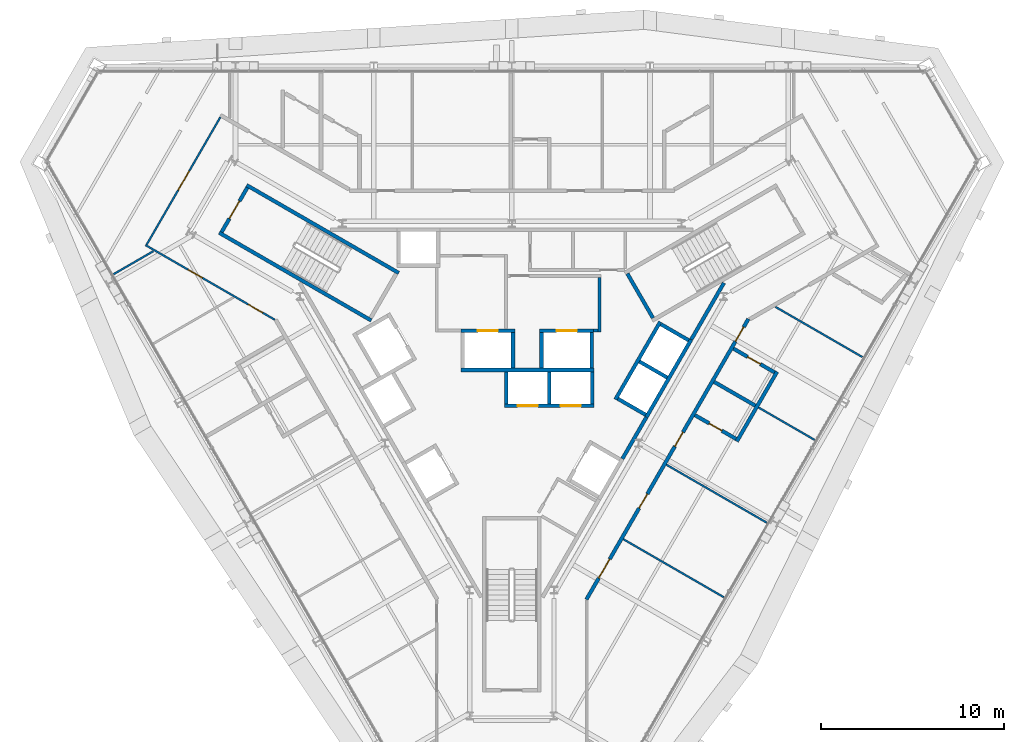
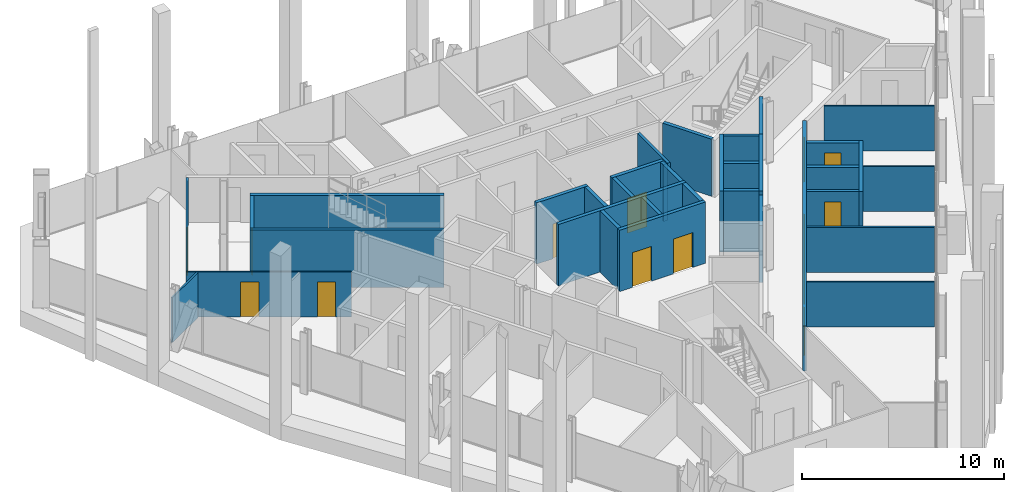
# One storey, part 10 of 14: 35 walls, 14 doors, 14 openings.
"""IFC4 building model written with IfcOpenShell, lengths in metres."""

from ifc_helpers import new_model, si_unit, direction, frame, frame_2d, origin, place, context, subcontext, project, spatial, rectangle, extrude, material, layer, layer_set, type_object, element, fill, save


model = new_model("IFC4")

# Units and contexts
model_context = context("Model", 3, precision=1e-05, world=origin(), true_north=direction((0.0, 1.0)))
body_context = subcontext(model_context, "Body", "Model", "MODEL_VIEW")
ifc_project = project(units=[si_unit("LENGTHUNIT", "METRE"), si_unit("AREAUNIT", "SQUARE_METRE"), si_unit("VOLUMEUNIT", "CUBIC_METRE"), si_unit("PLANEANGLEUNIT", "RADIAN"), si_unit("MASSUNIT", "GRAM", prefix="KILO")], contexts=[model_context])

# Site, building, storey
site_placement = place(None, origin())
site = spatial("IfcSite", under=ifc_project, at=site_placement, CompositionType="ELEMENT")
building_placement = place(site_placement, origin())
building = spatial("IfcBuilding", under=site, at=building_placement, Name="Verrane Prism Tower", CompositionType="ELEMENT")
storey_placement = place(building_placement, frame((0.0, 0.0, 148.800048828125)))
storey = spatial("IfcBuildingStorey", under=building, at=storey_placement, Name="L36", CompositionType="ELEMENT", Elevation=148.800048828125)

# Walls
ifc_material_1 = material(Name="Gypsum board partition", Category="other")
ifc_layer_1 = layer(ifc_material_1, 0.199951171875)
ifc_layer_set_1 = layer_set([ifc_layer_1], Name="CW-200 core boundary wall 2 h")
wall_type_1 = type_object("IfcWallType", Name="CW-200 core boundary wall 2 h", PredefinedType="PARTITIONING", material=ifc_layer_set_1)
wall_1_placement = place(storey_placement, frame((6.0419921875, -4.85498046875, 0.0), z_axis=(0.0, 0.0, 1.0), x_axis=(0.500252727967, 0.865879442048, 0.0)))
element("IfcWall", 1, at=wall_1_placement, inside=storey, type_object=wall_type_1, Name="Core boundary wall CW3-007", PredefinedType="PARTITIONING", context=body_context, shape_type="SweptSolid", body=[
    extrude(rectangle(XDim=2.616943359375, YDim=0.199951171875, at=frame_2d((1.30859375, 0.0))), origin(), (0.0, 0.0, 1.0), 3.449951171875),
])
wall_2_placement = place(storey_placement, frame((9.802978515625, 1.657958984375, 0.0), z_axis=(0.0, 0.0, 1.0), x_axis=(0.499943114462, 0.866058244174, 0.0)))
element("IfcWall", 2, at=wall_2_placement, inside=storey, type_object=wall_type_1, Name="Core boundary wall CW3-008", PredefinedType="PARTITIONING", context=body_context, shape_type="SweptSolid", body=[
    extrude(rectangle(XDim=3.57568359375, YDim=0.199951171875, at=frame_2d((1.787841796875, 0.0))), origin(), (0.0, 0.0, 1.0), 3.449951171875),
])
ifc_material_2 = material(Name="Concrete C40/50", Category="concrete")
ifc_layer_2 = layer(ifc_material_2, 0.199951171875)
ifc_layer_set_2 = layer_set([ifc_layer_2], Name="CW-200 stair core wall concrete C40/50 3 h")
wall_type_2 = type_object("IfcWallType", Name="CW-200 stair core wall concrete C40/50 3 h", PredefinedType="PARTITIONING", material=ifc_layer_set_2)
wall_3_placement = place(storey_placement, frame((7.71484375, 2.837646484375, 0.0), z_axis=(0.0, 0.0, 1.0), x_axis=(-0.500049511043, 0.865996816683, 0.0)))
element("IfcWall", 3, at=wall_3_placement, inside=storey, type_object=wall_type_2, Name="Stair 1 enclosure wall", PredefinedType="PARTITIONING", context=body_context, shape_type="SweptSolid", body=[
    extrude(rectangle(XDim=2.800048828125, YDim=0.199951171875, at=frame_2d((1.39990234375, 0.0))), origin(), (0.0, 0.0, 1.0), 3.449951171875),
])

# Wall, opening, door
wall_4_placement = place(storey_placement, frame((-14.455322265625, 9.96240234375, 0.0), z_axis=(0.0, 0.0, 1.0), x_axis=(-0.500049511043, -0.865996816683, 0.0)))
wall_4 = element("IfcWall", 4, at=wall_4_placement, inside=storey, type_object=wall_type_2, Name="Stair 2 enclosure wall", PredefinedType="PARTITIONING", context=body_context, shape_type="SweptSolid", body=[
    extrude(rectangle(XDim=2.800048828125, YDim=0.199951171875, at=frame_2d((1.39990234375, 0.0))), origin(), (0.0, 0.0, 1.0), 3.449951171875),
])
opening_1_placement = place(wall_4_placement, frame((0.849853515625, 0.0, 0.0)))
opening_1 = element("IfcOpeningElement", 5, at=opening_1_placement, cuts=wall_4, Name="Opening D36501", PredefinedType="OPENING", context=body_context, shape_type="SweptSolid", body=[
    extrude(rectangle(XDim=1.10009765625, YDim=2.10009765625, at=frame_2d((0.550048828125, 1.050048828125))), frame((0.0, 0.10986328125, 0.0), z_axis=(0.0, -1.0, 0.0), x_axis=(1.0, 0.0, 0.0)), (0.0, 0.0, 1.0), 0.219970703125),
])
ifc_material_3 = material(Name="Timber veneered door leaf", Category="wood")
door_type_1 = type_object("IfcDoorType", Name="DR-1100x2100 FD90 single leaf stair", OperationType="NOTDEFINED", PredefinedType="DOOR", material=ifc_material_3)
door_1_placement = place(opening_1_placement, origin())
door_1 = element("IfcDoor", 6, at=door_1_placement, inside=storey, type_object=door_type_1, Name="Stair 2 door", OperationType="SINGLE_SWING_RIGHT", OverallHeight=2.10009765625, OverallWidth=1.10009765625, PredefinedType="DOOR", context=body_context, shape_type="SweptSolid", body=[
    extrude(rectangle(XDim=1.10009765625, YDim=2.10009765625, at=frame_2d((0.550048828125, 1.050048828125))), frame((0.0, 0.02490234375, 0.0), z_axis=(0.0, -1.0, 0.0), x_axis=(1.0, 0.0, 0.0)), (0.0, 0.0, 1.0), 0.050048828125),
])
fill(opening_1, door_1)

# Walls
for number, where, z_axis, x_axis, name in (
    (7, (-7.67822265625, 2.700927734375, 0.0), (0.0, 0.0, 1.0), (-0.866019993635, 0.500009370536, 0.0), "Stair 2 enclosure wall"),
    (8, (-6.17822265625, 5.299072265625, 0.0), (0.0, 0.0, 1.0), (-0.866019993635, 0.500009370536, 0.0), "Stair 2 enclosure wall"),
):
    element("IfcWall", number, at=place(storey_placement, frame(where, z_axis=z_axis, x_axis=x_axis)), inside=storey, type_object=wall_type_2, Name=name, PredefinedType="PARTITIONING", context=body_context, shape_type="SweptSolid", body=[
        extrude(rectangle(XDim=9.599853515625, YDim=0.199951171875, at=frame_2d((4.7998046875, 0.0))), origin(), (0.0, 0.0, 1.0), 3.449951171875),
    ])

# Wall, openings, doors
ifc_material_4 = material(Name="Gypsum board shaft wall assembly", Category="other")
ifc_layer_3 = layer(ifc_material_4, 0.199951171875)
ifc_layer_set_3 = layer_set([ifc_layer_3], Name="HW-200 lift shaft wall 2 h")
wall_type_3 = type_object("IfcWallType", Name="HW-200 lift shaft wall 2 h", PredefinedType="PARTITIONING", material=ifc_layer_set_3)
wall_5_placement = place(storey_placement, frame((-0.405029296875, -1.949951171875, 0.0), z_axis=(0.0, 0.0, 1.0), x_axis=(1.0, 0.0, 0.0)))
wall_5 = element("IfcWall", 9, at=wall_5_placement, inside=storey, type_object=wall_type_3, Name="Lift shaft wall", PredefinedType="PARTITIONING", context=body_context, shape_type="SweptSolid", body=[
    extrude(rectangle(XDim=4.900146484375, YDim=0.199951171875, at=frame_2d((2.4501953125, 0.0))), origin(), (0.0, 0.0, 1.0), 3.699951171875),
])
opening_2_placement = place(wall_5_placement, frame((0.72509765625, 0.0, 0.0)))
opening_2 = element("IfcOpeningElement", 10, at=opening_2_placement, cuts=wall_5, Name="Opening D36503", PredefinedType="OPENING", context=body_context, shape_type="SweptSolid", body=[
    extrude(rectangle(XDim=1.10009765625, YDim=2.10009765625, at=frame_2d((0.550048828125, 1.050048828125))), frame((0.0, 0.10986328125, 0.0), z_axis=(0.0, -1.0, 0.0), x_axis=(1.0, 0.0, 0.0)), (0.0, 0.0, 1.0), 0.219970703125),
])
opening_3_placement = place(wall_5_placement, frame((3.074951171875, 0.0, 0.0)))
opening_3 = element("IfcOpeningElement", 11, at=opening_3_placement, cuts=wall_5, Name="Opening D36504", PredefinedType="OPENING", context=body_context, shape_type="SweptSolid", body=[
    extrude(rectangle(XDim=1.10009765625, YDim=2.10009765625, at=frame_2d((0.550048828125, 1.050048828125))), frame((0.0, 0.10986328125, 0.0), z_axis=(0.0, -1.0, 0.0), x_axis=(1.0, 0.0, 0.0)), (0.0, 0.0, 1.0), 0.219970703125),
])
ifc_material_5 = material(Name="Stainless steel sliding landing door", Category="steel")
door_type_2 = type_object("IfcDoorType", Name="LD-1100x2100 lift landing door FD90 sliding", OperationType="NOTDEFINED", PredefinedType="DOOR", material=ifc_material_5)
door_2_placement = place(opening_2_placement, origin())
door_2 = element("IfcDoor", 12, at=door_2_placement, inside=storey, type_object=door_type_2, Name="Bank B lift 1 landing door", OperationType="SLIDING_TO_LEFT", OverallHeight=2.10009765625, OverallWidth=1.10009765625, PredefinedType="DOOR", context=body_context, shape_type="SweptSolid", body=[
    extrude(rectangle(XDim=1.10009765625, YDim=2.10009765625, at=frame_2d((0.550048828125, 1.050048828125))), frame((0.0, 0.02490234375, 0.0), z_axis=(0.0, -1.0, 0.0), x_axis=(1.0, 0.0, 0.0)), (0.0, 0.0, 1.0), 0.050048828125),
])
fill(opening_2, door_2)
door_3_placement = place(opening_3_placement, origin())
door_3 = element("IfcDoor", 13, at=door_3_placement, inside=storey, type_object=door_type_2, Name="Bank B lift 2 landing door", OperationType="SLIDING_TO_RIGHT", OverallHeight=2.10009765625, OverallWidth=1.10009765625, PredefinedType="DOOR", context=body_context, shape_type="SweptSolid", body=[
    extrude(rectangle(XDim=1.10009765625, YDim=2.10009765625, at=frame_2d((0.550048828125, 1.050048828125))), frame((0.0, 0.02490234375, 0.0), z_axis=(0.0, -1.0, 0.0), x_axis=(1.0, 0.0, 0.0)), (0.0, 0.0, 1.0), 0.050048828125),
])
fill(opening_3, door_3)

# Wall
wall_6_placement = place(storey_placement, frame((-2.784912109375, 0.0, 0.0), z_axis=(0.0, 0.0, 1.0), x_axis=(1.0, 0.0, 0.0)))
element("IfcWall", 14, at=wall_6_placement, inside=storey, type_object=wall_type_3, Name="Lift shaft wall", PredefinedType="PARTITIONING", context=body_context, shape_type="SweptSolid", body=[
    extrude(rectangle(XDim=7.280029296875, YDim=0.199951171875, at=frame_2d((3.64013671875, 0.0))), origin(), (0.0, 0.0, 1.0), 3.699951171875),
])

# Wall, opening, door
wall_7_placement = place(storey_placement, frame((-2.784912109375, 2.14990234375, 0.0), z_axis=(0.0, 0.0, 1.0), x_axis=(1.0, 0.0, 0.0)))
wall_7 = element("IfcWall", 15, at=wall_7_placement, inside=storey, type_object=wall_type_3, Name="Lift shaft wall", PredefinedType="PARTITIONING", context=body_context, shape_type="SweptSolid", body=[
    extrude(rectangle(XDim=2.949951171875, YDim=0.199951171875, at=frame_2d((1.47509765625, 0.0))), origin(), (0.0, 0.0, 1.0), 3.699951171875),
])
opening_4_placement = place(wall_7_placement, frame((0.925048828125, 0.0, 0.0)))
opening_4 = element("IfcOpeningElement", 16, at=opening_4_placement, cuts=wall_7, Name="Opening D36507", PredefinedType="OPENING", context=body_context, shape_type="SweptSolid", body=[
    extrude(rectangle(XDim=1.10009765625, YDim=2.10009765625, at=frame_2d((0.550048828125, 1.050048828125))), frame((0.0, 0.10986328125, 0.0), z_axis=(0.0, -1.0, 0.0), x_axis=(1.0, 0.0, 0.0)), (0.0, 0.0, 1.0), 0.219970703125),
])
door_4_placement = place(opening_4_placement, origin())
door_4 = element("IfcDoor", 17, at=door_4_placement, inside=storey, type_object=door_type_2, Name="Fire service lift 1 landing door", OperationType="SLIDING_TO_LEFT", OverallHeight=2.10009765625, OverallWidth=1.10009765625, PredefinedType="DOOR", context=body_context, shape_type="SweptSolid", body=[
    extrude(rectangle(XDim=1.10009765625, YDim=2.10009765625, at=frame_2d((0.550048828125, 1.050048828125))), frame((0.0, 0.02490234375, 0.0), z_axis=(0.0, -1.0, 0.0), x_axis=(1.0, 0.0, 0.0)), (0.0, 0.0, 1.0), 0.050048828125),
])
fill(opening_4, door_4)

wall_8_placement = place(storey_placement, frame((1.52490234375, 2.14990234375, 0.0), z_axis=(0.0, 0.0, 1.0), x_axis=(1.0, 0.0, 0.0)))
wall_8 = element("IfcWall", 18, at=wall_8_placement, inside=storey, type_object=wall_type_3, Name="Lift shaft wall", PredefinedType="PARTITIONING", context=body_context, shape_type="SweptSolid", body=[
    extrude(rectangle(XDim=2.9501953125, YDim=0.199951171875, at=frame_2d((1.47509765625, 0.0))), origin(), (0.0, 0.0, 1.0), 3.699951171875),
])
opening_5_placement = place(wall_8_placement, frame((0.925048828125, 0.0, 0.0)))
opening_5 = element("IfcOpeningElement", 19, at=opening_5_placement, cuts=wall_8, Name="Opening D36508", PredefinedType="OPENING", context=body_context, shape_type="SweptSolid", body=[
    extrude(rectangle(XDim=1.10009765625, YDim=2.10009765625, at=frame_2d((0.550048828125, 1.050048828125))), frame((0.0, 0.10986328125, 0.0), z_axis=(0.0, -1.0, 0.0), x_axis=(1.0, 0.0, 0.0)), (0.0, 0.0, 1.0), 0.219970703125),
])
door_5_placement = place(opening_5_placement, origin())
door_5 = element("IfcDoor", 20, at=door_5_placement, inside=storey, type_object=door_type_2, Name="Fire service lift 2 landing door", OperationType="SLIDING_TO_RIGHT", OverallHeight=2.10009765625, OverallWidth=1.10009765625, PredefinedType="DOOR", context=body_context, shape_type="SweptSolid", body=[
    extrude(rectangle(XDim=1.10009765625, YDim=2.10009765625, at=frame_2d((0.550048828125, 1.050048828125))), frame((0.0, 0.02490234375, 0.0), z_axis=(0.0, -1.0, 0.0), x_axis=(1.0, 0.0, 0.0)), (0.0, 0.0, 1.0), 0.050048828125),
])
fill(opening_5, door_5)

# Walls
wall_9_placement = place(storey_placement, frame((7.351318359375, -2.587158203125, 0.0), z_axis=(0.0, 0.0, 1.0), x_axis=(0.500002801628, 0.866023786258, 0.0)))
element("IfcWall", 21, at=wall_9_placement, inside=storey, type_object=wall_type_3, Name="Lift shaft wall", PredefinedType="PARTITIONING", context=body_context, shape_type="SweptSolid", body=[
    extrude(rectangle(XDim=4.89990234375, YDim=0.199951171875, at=frame_2d((2.449951171875, 0.0))), origin(), (0.0, 0.0, 1.0), 3.699951171875),
])
wall_10_placement = place(storey_placement, frame((5.66259765625, -1.6123046875, 0.0), z_axis=(0.0, 0.0, 1.0), x_axis=(0.49998122708, 0.866036242063, 0.0)))
element("IfcWall", 22, at=wall_10_placement, inside=storey, type_object=wall_type_3, Name="Lift shaft wall", PredefinedType="PARTITIONING", context=body_context, shape_type="SweptSolid", body=[
    extrude(rectangle(XDim=4.900146484375, YDim=0.199951171875, at=frame_2d((2.4501953125, 0.0))), origin(), (0.0, 0.0, 1.0), 3.699951171875),
])
wall_11_placement = place(storey_placement, frame((4.39501953125, -1.85009765625, 0.0), z_axis=(0.0, 0.0, 1.0), x_axis=(0.0, 1.0, 0.0)))
element("IfcWall", 23, at=wall_11_placement, inside=storey, type_object=wall_type_3, Name="Lift shaft wall", PredefinedType="PARTITIONING", context=body_context, shape_type="SweptSolid", body=[
    extrude(rectangle(XDim=1.75, YDim=0.199951171875, at=frame_2d((0.875, 0.0))), origin(), (0.0, 0.0, 1.0), 3.699951171875),
])
wall_12_placement = place(storey_placement, frame((4.375, 0.10009765625, 0.0), z_axis=(0.0, 0.0, 1.0), x_axis=(0.0, 1.0, 0.0)))
element("IfcWall", 24, at=wall_12_placement, inside=storey, type_object=wall_type_3, Name="Lift shaft wall", PredefinedType="PARTITIONING", context=body_context, shape_type="SweptSolid", body=[
    extrude(rectangle(XDim=1.949951171875, YDim=0.199951171875, at=frame_2d((0.97509765625, 0.0))), origin(), (0.0, 0.0, 1.0), 3.699951171875),
])
wall_13_placement = place(storey_placement, frame((2.044921875, -1.85009765625, 0.0), z_axis=(0.0, 0.0, 1.0), x_axis=(0.0, 1.0, 0.0)))
element("IfcWall", 25, at=wall_13_placement, inside=storey, type_object=wall_type_3, Name="Lift shaft wall", PredefinedType="PARTITIONING", context=body_context, shape_type="SweptSolid", body=[
    extrude(rectangle(XDim=1.75, YDim=0.199951171875, at=frame_2d((0.875, 0.0))), origin(), (0.0, 0.0, 1.0), 3.699951171875),
])
for number, where, z_axis, x_axis, name in (
    (26, (1.625, 0.10009765625, 0.0), (0.0, 0.0, 1.0), (0.0, 1.0, 0.0), "Lift shaft wall"),
    (27, (0.06494140625, 0.10009765625, 0.0), (0.0, 0.0, 1.0), (0.0, 1.0, 0.0), "Lift shaft wall"),
):
    element("IfcWall", number, at=place(storey_placement, frame(where, z_axis=z_axis, x_axis=x_axis)), inside=storey, type_object=wall_type_3, Name=name, PredefinedType="PARTITIONING", context=body_context, shape_type="SweptSolid", body=[
        extrude(rectangle(XDim=1.949951171875, YDim=0.199951171875, at=frame_2d((0.97509765625, 0.0))), origin(), (0.0, 0.0, 1.0), 3.699951171875),
    ])
wall_14_placement = place(storey_placement, frame((-0.304931640625, -1.85009765625, 0.0), z_axis=(0.0, 0.0, 1.0), x_axis=(0.0, 1.0, 0.0)))
element("IfcWall", 28, at=wall_14_placement, inside=storey, type_object=wall_type_3, Name="Lift shaft wall", PredefinedType="PARTITIONING", context=body_context, shape_type="SweptSolid", body=[
    extrude(rectangle(XDim=1.75, YDim=0.199951171875, at=frame_2d((0.875, 0.0))), origin(), (0.0, 0.0, 1.0), 3.699951171875),
])
wall_15_placement = place(storey_placement, frame((9.66455078125, 1.61962890625, 0.0), z_axis=(0.0, 0.0, 1.0), x_axis=(-0.866002029911, 0.500040482552, 0.0)))
element("IfcWall", 29, at=wall_15_placement, inside=storey, type_object=wall_type_3, Name="Lift shaft wall", PredefinedType="PARTITIONING", context=body_context, shape_type="SweptSolid", body=[
    extrude(rectangle(XDim=1.749755859375, YDim=0.199951171875, at=frame_2d((0.875, 0.0))), origin(), (0.0, 0.0, 1.0), 3.699951171875),
])
for number, where, z_axis, x_axis, name in (
    (30, (8.48974609375, -0.41552734375, 0.0), (0.0, 0.0, 1.0), (-0.866036909293, 0.499980071345, 0.0), "Lift shaft wall"),
    (31, (7.314697265625, -2.45068359375, 0.0), (0.0, 0.0, 1.0), (-0.866036909293, 0.499980071345, 0.0), "Lift shaft wall"),
):
    element("IfcWall", number, at=place(storey_placement, frame(where, z_axis=z_axis, x_axis=x_axis)), inside=storey, type_object=wall_type_3, Name=name, PredefinedType="PARTITIONING", context=body_context, shape_type="SweptSolid", body=[
        extrude(rectangle(XDim=1.75, YDim=0.199951171875, at=frame_2d((0.875, 0.0))), origin(), (0.0, 0.0, 1.0), 3.699951171875),
    ])
ifc_material_6 = material(Name="Gypsum board partition", Category="other")
ifc_layer_4 = layer(ifc_material_6, 0.14990234375)
ifc_layer_set_4 = layer_set([ifc_layer_4], Name="LF-150 firefighting lobby wall 1 h")
wall_type_4 = type_object("IfcWallType", Name="LF-150 firefighting lobby wall 1 h", PredefinedType="PARTITIONING", material=ifc_layer_set_4)
wall_16_placement = place(storey_placement, frame((4.47705078125, 2.159912109375, 0.0), z_axis=(0.0, 0.0, 1.0), x_axis=(1.0, 0.0, 0.0)))
element("IfcWall", 32, at=wall_16_placement, inside=storey, type_object=wall_type_4, Name="Firefighting lobby wall LF1-006", PredefinedType="PARTITIONING", context=body_context, shape_type="SweptSolid", body=[
    extrude(rectangle(XDim=0.238037109375, YDim=0.14990234375, at=frame_2d((0.119140625, 0.0))), origin(), (0.0, 0.0, 1.0), 3.449951171875),
])
wall_17_placement = place(storey_placement, frame((4.7900390625, 2.0849609375, 0.0), z_axis=(0.0, 0.0, 1.0), x_axis=(0.0, 1.0, 0.0)))
element("IfcWall", 33, at=wall_17_placement, inside=storey, type_object=wall_type_4, Name="Firefighting lobby wall LF1-007", PredefinedType="PARTITIONING", context=body_context, shape_type="SweptSolid", body=[
    extrude(rectangle(XDim=2.97998046875, YDim=0.14990234375, at=frame_2d((1.489990234375, 0.0))), origin(), (0.0, 0.0, 1.0), 3.449951171875),
])
ifc_material_7 = material(Name="Gypsum board partition", Category="other")
ifc_layer_5 = layer(ifc_material_7, 0.10009765625)
ifc_layer_set_5 = layer_set([ifc_layer_5], Name="PW-100 room partition")
wall_type_5 = type_object("IfcWallType", Name="PW-100 room partition", PredefinedType="PARTITIONING", material=ifc_layer_set_5)
wall_18_placement = place(storey_placement, frame((-21.7666015625, 5.22998046875, 0.0), z_axis=(0.0, 0.0, 1.0), x_axis=(0.865868809172, 0.50027113179, 0.0)))
element("IfcWall", 34, at=wall_18_placement, inside=storey, type_object=wall_type_5, Name="Room partition 001", PredefinedType="PARTITIONING", context=body_context, shape_type="SweptSolid", body=[
    extrude(rectangle(XDim=2.51611328125, YDim=0.10009765625, at=frame_2d((1.258056640625, 0.0))), origin(), (0.0, 0.0, 1.0), 2.712890625),
])

# Wall, opening, door
wall_19_placement = place(storey_placement, frame((-19.955078125, 6.84423828125, 0.0), z_axis=(0.0, 0.0, 1.0), x_axis=(0.500422653123, 0.865781247337, 0.0)))
wall_19 = element("IfcWall", 35, at=wall_19_placement, inside=storey, type_object=wall_type_5, Name="Room partition 002", PredefinedType="PARTITIONING", context=body_context, shape_type="SweptSolid", body=[
    extrude(rectangle(XDim=8.04736328125, YDim=0.10009765625, at=frame_2d((4.023681640625, 0.0))), origin(), (0.0, 0.0, 1.0), 2.712890625),
])
opening_6_placement = place(wall_19_placement, frame((3.449951171875, 0.0, 0.0)))
opening_6 = element("IfcOpeningElement", 36, at=opening_6_placement, cuts=wall_19, Name="Opening D36020", PredefinedType="OPENING", context=body_context, shape_type="SweptSolid", body=[
    extrude(rectangle(XDim=1.199951171875, YDim=2.10009765625, at=frame_2d((0.60009765625, 1.050048828125))), frame((0.0, 0.06005859375, 0.0), z_axis=(0.0, -1.0, 0.0), x_axis=(1.0, 0.0, 0.0)), (0.0, 0.0, 1.0), 0.1201171875),
])
ifc_material_8 = material(Name="Timber veneered door leaf", Category="wood")
door_type_3 = type_object("IfcDoorType", Name="DR-1200x2100 single leaf unit", OperationType="NOTDEFINED", PredefinedType="DOOR", material=ifc_material_8)
door_6_placement = place(opening_6_placement, origin())
door_6 = element("IfcDoor", 37, at=door_6_placement, inside=storey, type_object=door_type_3, Name="Living And Dining Room door", OperationType="SINGLE_SWING_RIGHT", OverallHeight=2.10009765625, OverallWidth=1.199951171875, PredefinedType="DOOR", context=body_context, shape_type="SweptSolid", body=[
    extrude(rectangle(XDim=1.199951171875, YDim=2.10009765625, at=frame_2d((0.60009765625, 1.050048828125))), frame((0.0, 0.02490234375, 0.0), z_axis=(0.0, -1.0, 0.0), x_axis=(1.0, 0.0, 0.0)), (0.0, 0.0, 1.0), 0.050048828125),
])
fill(opening_6, door_6)

# Wall, openings, doors
wall_20_placement = place(storey_placement, frame((-12.95166015625, 2.744384765625, 0.0), z_axis=(0.0, 0.0, 1.0), x_axis=(-0.86608949446, 0.499888975259, 0.0)))
wall_20 = element("IfcWall", 38, at=wall_20_placement, inside=storey, type_object=wall_type_5, Name="Room partition 003", PredefinedType="PARTITIONING", context=body_context, shape_type="SweptSolid", body=[
    extrude(rectangle(XDim=8.164794921875, YDim=0.10009765625, at=frame_2d((4.08251953125, 0.0))), origin(), (0.0, 0.0, 1.0), 2.712890625),
])
opening_7_placement = place(wall_20_placement, frame((4.575927734375, 0.0, 0.0)))
opening_7 = element("IfcOpeningElement", 39, at=opening_7_placement, cuts=wall_20, Name="Opening D36021", PredefinedType="OPENING", context=body_context, shape_type="SweptSolid", body=[
    extrude(rectangle(XDim=0.89990234375, YDim=2.10009765625, at=frame_2d((0.449951171875, 1.050048828125))), frame((0.0, 0.06005859375, 0.0), z_axis=(0.0, -1.0, 0.0), x_axis=(1.0, 0.0, 0.0)), (0.0, 0.0, 1.0), 0.1201171875),
])
opening_8_placement = place(wall_20_placement, frame((0.77197265625, 0.0, 0.0)))
opening_8 = element("IfcOpeningElement", 40, at=opening_8_placement, cuts=wall_20, Name="Opening D36022", PredefinedType="OPENING", context=body_context, shape_type="SweptSolid", body=[
    extrude(rectangle(XDim=0.89990234375, YDim=2.10009765625, at=frame_2d((0.449951171875, 1.050048828125))), frame((0.0, 0.06005859375, 0.0), z_axis=(0.0, -1.0, 0.0), x_axis=(1.0, 0.0, 0.0)), (0.0, 0.0, 1.0), 0.1201171875),
])
ifc_material_9 = material(Name="Timber veneered door leaf", Category="wood")
door_type_4 = type_object("IfcDoorType", Name="DR-900x2100 single leaf inner", OperationType="NOTDEFINED", PredefinedType="DOOR", material=ifc_material_9)
door_7_placement = place(opening_8_placement, origin())
door_7 = element("IfcDoor", 41, at=door_7_placement, inside=storey, type_object=door_type_4, Name="Master Bedroom door", OperationType="SINGLE_SWING_LEFT", OverallHeight=2.10009765625, OverallWidth=0.89990234375, PredefinedType="DOOR", context=body_context, shape_type="SweptSolid", body=[
    extrude(rectangle(XDim=0.89990234375, YDim=2.10009765625, at=frame_2d((0.449951171875, 1.050048828125))), frame((0.0, 0.02490234375, 0.0), z_axis=(0.0, -1.0, 0.0), x_axis=(1.0, 0.0, 0.0)), (0.0, 0.0, 1.0), 0.050048828125),
])
fill(opening_8, door_7)
ifc_material_10 = material(Name="Timber veneered door leaf", Category="wood")
door_type_5 = type_object("IfcDoorType", Name="DR-900x2100 single leaf unit", OperationType="NOTDEFINED", PredefinedType="DOOR", material=ifc_material_10)
door_8_placement = place(opening_7_placement, origin())
door_8 = element("IfcDoor", 42, at=door_8_placement, inside=storey, type_object=door_type_5, Name="Kitchen door", OperationType="SINGLE_SWING_RIGHT", OverallHeight=2.10009765625, OverallWidth=0.89990234375, PredefinedType="DOOR", context=body_context, shape_type="SweptSolid", body=[
    extrude(rectangle(XDim=0.89990234375, YDim=2.10009765625, at=frame_2d((0.449951171875, 1.050048828125))), frame((0.0, 0.02490234375, 0.0), z_axis=(0.0, -1.0, 0.0), x_axis=(1.0, 0.0, 0.0)), (0.0, 0.0, 1.0), 0.050048828125),
])
fill(opening_7, door_8)

# Walls
for number, where, z_axis, x_axis, name in (
    (43, (6.093505859375, -9.2490234375, 0.0), (0.0, 0.0, 1.0), (0.866030886774, -0.499990503064, 0.0), "Room partition 033"),
    (44, (8.444580078125, -5.177001953125, 0.0), (0.0, 0.0, 1.0), (0.866004557827, -0.500036104519, 0.0), "Room partition 036"),
):
    element("IfcWall", number, at=place(storey_placement, frame(where, z_axis=z_axis, x_axis=x_axis)), inside=storey, type_object=wall_type_5, Name=name, PredefinedType="PARTITIONING", context=body_context, shape_type="SweptSolid", body=[
        extrude(rectangle(XDim=6.33349609375, YDim=0.10009765625, at=frame_2d((3.166748046875, 0.0))), origin(), (0.0, 0.0, 1.0), 2.712890625),
    ])
wall_21_placement = place(storey_placement, frame((13.481689453125, -2.052001953125, 0.0), z_axis=(0.0, 0.0, 1.0), x_axis=(0.865998048674, -0.500047377448, 0.0)))
element("IfcWall", 45, at=wall_21_placement, inside=storey, type_object=wall_type_5, Name="Room partition 044", PredefinedType="PARTITIONING", context=body_context, shape_type="SweptSolid", body=[
    extrude(rectangle(XDim=3.533935546875, YDim=0.10009765625, at=frame_2d((1.76708984375, 0.0))), origin(), (0.0, 0.0, 1.0), 2.712890625),
])
wall_22_placement = place(storey_placement, frame((14.412109375, 3.44384765625, 0.0), z_axis=(0.0, 0.0, 1.0), x_axis=(0.866045268016, -0.499965592563, 0.0)))
element("IfcWall", 46, at=wall_22_placement, inside=storey, type_object=wall_type_5, Name="Room partition 045", PredefinedType="PARTITIONING", context=body_context, shape_type="SweptSolid", body=[
    extrude(rectangle(XDim=5.47607421875, YDim=0.10009765625, at=frame_2d((2.738037109375, 0.0))), origin(), (0.0, 0.0, 1.0), 2.712890625),
])

# Wall, openings, doors
ifc_material_11 = material(Name="Gypsum board partition", Category="other")
ifc_layer_6 = layer(ifc_material_11, 0.199951171875)
ifc_layer_set_6 = layer_set([ifc_layer_6], Name="PW-200 plumbing wall")
wall_type_6 = type_object("IfcWallType", Name="PW-200 plumbing wall", PredefinedType="PARTITIONING", material=ifc_layer_set_6)
wall_23_placement = place(storey_placement, frame((12.927978515625, 2.78857421875, 0.0), z_axis=(0.0, 0.0, 1.0), x_axis=(-0.499997769292, -0.86602669168, 0.0)))
wall_23 = element("IfcWall", 47, at=wall_23_placement, inside=storey, type_object=wall_type_6, Name="Plumbing wall 031", PredefinedType="PARTITIONING", context=body_context, shape_type="SweptSolid", body=[
    extrude(rectangle(XDim=17.7060546875, YDim=0.199951171875, at=frame_2d((8.85302734375, 0.0))), origin(), (0.0, 0.0, 1.0), 2.712890625),
])
opening_9_placement = place(wall_23_placement, frame((15.156005859375, 0.0, 0.0)))
opening_9 = element("IfcOpeningElement", 48, at=opening_9_placement, cuts=wall_23, Name="Opening D36001", PredefinedType="OPENING", context=body_context, shape_type="SweptSolid", body=[
    extrude(rectangle(XDim=1.199951171875, YDim=2.10009765625, at=frame_2d((0.60009765625, 1.050048828125))), frame((0.0, 0.10986328125, 0.0), z_axis=(0.0, -1.0, 0.0), x_axis=(1.0, 0.0, 0.0)), (0.0, 0.0, 1.0), 0.219970703125),
])
opening_10_placement = place(wall_23_placement, frame((11.0419921875, 0.0, 0.0)))
opening_10 = element("IfcOpeningElement", 49, at=opening_10_placement, cuts=wall_23, Name="Opening D36002", PredefinedType="OPENING", context=body_context, shape_type="SweptSolid", body=[
    extrude(rectangle(XDim=0.89990234375, YDim=2.10009765625, at=frame_2d((0.449951171875, 1.050048828125))), frame((0.0, 0.10986328125, 0.0), z_axis=(0.0, -1.0, 0.0), x_axis=(1.0, 0.0, 0.0)), (0.0, 0.0, 1.0), 0.219970703125),
])
opening_11_placement = place(wall_23_placement, frame((7.14013671875, 0.0, 0.0)))
opening_11 = element("IfcOpeningElement", 50, at=opening_11_placement, cuts=wall_23, Name="Opening D36003", PredefinedType="OPENING", context=body_context, shape_type="SweptSolid", body=[
    extrude(rectangle(XDim=0.89990234375, YDim=2.10009765625, at=frame_2d((0.449951171875, 1.050048828125))), frame((0.0, 0.10986328125, 0.0), z_axis=(0.0, -1.0, 0.0), x_axis=(1.0, 0.0, 0.0)), (0.0, 0.0, 1.0), 0.219970703125),
])
opening_12_placement = place(wall_23_placement, frame((0.51513671875, 0.0, 0.0)))
opening_12 = element("IfcOpeningElement", 51, at=opening_12_placement, cuts=wall_23, Name="Opening D36005", PredefinedType="OPENING", context=body_context, shape_type="SweptSolid", body=[
    extrude(rectangle(XDim=0.89990234375, YDim=2.10009765625, at=frame_2d((0.449951171875, 1.050048828125))), frame((0.0, 0.10986328125, 0.0), z_axis=(0.0, -1.0, 0.0), x_axis=(1.0, 0.0, 0.0)), (0.0, 0.0, 1.0), 0.219970703125),
])
door_9_placement = place(opening_9_placement, origin())
door_9 = element("IfcDoor", 52, at=door_9_placement, inside=storey, type_object=door_type_3, Name="Living And Dining Room door", OperationType="SINGLE_SWING_RIGHT", OverallHeight=2.10009765625, OverallWidth=1.199951171875, PredefinedType="DOOR", context=body_context, shape_type="SweptSolid", body=[
    extrude(rectangle(XDim=1.199951171875, YDim=2.10009765625, at=frame_2d((0.60009765625, 1.050048828125))), frame((0.0, 0.02490234375, 0.0), z_axis=(0.0, -1.0, 0.0), x_axis=(1.0, 0.0, 0.0)), (0.0, 0.0, 1.0), 0.050048828125),
])
fill(opening_9, door_9)
door_10_placement = place(opening_11_placement, origin())
door_10 = element("IfcDoor", 53, at=door_10_placement, inside=storey, type_object=door_type_4, Name="Bedroom door", OperationType="SINGLE_SWING_RIGHT", OverallHeight=2.10009765625, OverallWidth=0.89990234375, PredefinedType="DOOR", context=body_context, shape_type="SweptSolid", body=[
    extrude(rectangle(XDim=0.89990234375, YDim=2.10009765625, at=frame_2d((0.449951171875, 1.050048828125))), frame((0.0, 0.02490234375, 0.0), z_axis=(0.0, -1.0, 0.0), x_axis=(1.0, 0.0, 0.0)), (0.0, 0.0, 1.0), 0.050048828125),
])
fill(opening_11, door_10)
door_11_placement = place(opening_12_placement, origin())
door_11 = element("IfcDoor", 54, at=door_11_placement, inside=storey, type_object=door_type_4, Name="Bedroom door", OperationType="SINGLE_SWING_RIGHT", OverallHeight=2.10009765625, OverallWidth=0.89990234375, PredefinedType="DOOR", context=body_context, shape_type="SweptSolid", body=[
    extrude(rectangle(XDim=0.89990234375, YDim=2.10009765625, at=frame_2d((0.449951171875, 1.050048828125))), frame((0.0, 0.02490234375, 0.0), z_axis=(0.0, -1.0, 0.0), x_axis=(1.0, 0.0, 0.0)), (0.0, 0.0, 1.0), 0.050048828125),
])
fill(opening_12, door_11)
door_12_placement = place(opening_10_placement, origin())
door_12 = element("IfcDoor", 55, at=door_12_placement, inside=storey, type_object=door_type_5, Name="Kitchen door", OperationType="SINGLE_SWING_LEFT", OverallHeight=2.10009765625, OverallWidth=0.89990234375, PredefinedType="DOOR", context=body_context, shape_type="SweptSolid", body=[
    extrude(rectangle(XDim=0.89990234375, YDim=2.10009765625, at=frame_2d((0.449951171875, 1.050048828125))), frame((0.0, 0.02490234375, 0.0), z_axis=(0.0, -1.0, 0.0), x_axis=(1.0, 0.0, 0.0)), (0.0, 0.0, 1.0), 0.050048828125),
])
fill(opening_10, door_12)

# Wall, opening, door
wall_24_placement = place(storey_placement, frame((10.010986328125, -2.473388671875, 0.0), z_axis=(0.0, 0.0, 1.0), x_axis=(0.866005410122, -0.500034628441, 0.0)))
wall_24 = element("IfcWall", 56, at=wall_24_placement, inside=storey, type_object=wall_type_6, Name="Plumbing wall 038", PredefinedType="PARTITIONING", context=body_context, shape_type="SweptSolid", body=[
    extrude(rectangle(XDim=2.594970703125, YDim=0.199951171875, at=frame_2d((1.29736328125, 0.0))), origin(), (0.0, 0.0, 1.0), 2.712890625),
])
opening_13_placement = place(wall_24_placement, frame((0.89501953125, 0.0, 0.0)))
opening_13 = element("IfcOpeningElement", 57, at=opening_13_placement, cuts=wall_24, Name="Opening D36004", PredefinedType="OPENING", context=body_context, shape_type="SweptSolid", body=[
    extrude(rectangle(XDim=0.800048828125, YDim=2.10009765625, at=frame_2d((0.39990234375, 1.050048828125))), frame((0.0, 0.10986328125, 0.0), z_axis=(0.0, -1.0, 0.0), x_axis=(1.0, 0.0, 0.0)), (0.0, 0.0, 1.0), 0.219970703125),
])
ifc_material_12 = material(Name="Timber veneered door leaf", Category="wood")
door_type_6 = type_object("IfcDoorType", Name="DR-800x2100 single leaf bath", OperationType="NOTDEFINED", PredefinedType="DOOR", material=ifc_material_12)
door_13_placement = place(opening_13_placement, origin())
door_13 = element("IfcDoor", 58, at=door_13_placement, inside=storey, type_object=door_type_6, Name="Bathroom door", OperationType="SINGLE_SWING_RIGHT", OverallHeight=2.10009765625, OverallWidth=0.800048828125, PredefinedType="DOOR", context=body_context, shape_type="SweptSolid", body=[
    extrude(rectangle(XDim=0.800048828125, YDim=2.10009765625, at=frame_2d((0.39990234375, 1.050048828125))), frame((0.0, 0.02490234375, 0.0), z_axis=(0.0, -1.0, 0.0), x_axis=(1.0, 0.0, 0.0)), (0.0, 0.0, 1.0), 0.050048828125),
])
fill(opening_13, door_13)

# Wall
wall_25_placement = place(storey_placement, frame((11.06103515625, -0.654541015625, 0.0), z_axis=(0.0, 0.0, 1.0), x_axis=(0.866046148833, -0.4999640668, 0.0)))
element("IfcWall", 59, at=wall_25_placement, inside=storey, type_object=wall_type_6, Name="Plumbing wall 040", PredefinedType="PARTITIONING", context=body_context, shape_type="SweptSolid", body=[
    extrude(rectangle(XDim=2.594970703125, YDim=0.199951171875, at=frame_2d((1.29736328125, 0.0))), origin(), (0.0, 0.0, 1.0), 2.712890625),
])

# Wall, opening, door
wall_26_placement = place(storey_placement, frame((14.3583984375, -0.133056640625, 0.0), z_axis=(0.0, 0.0, 1.0), x_axis=(-0.866028930478, 0.499993891537, 0.0)))
wall_26 = element("IfcWall", 60, at=wall_26_placement, inside=storey, type_object=wall_type_6, Name="Plumbing wall 041", PredefinedType="PARTITIONING", context=body_context, shape_type="SweptSolid", body=[
    extrude(rectangle(XDim=2.59521484375, YDim=0.199951171875, at=frame_2d((1.297607421875, 0.0))), origin(), (0.0, 0.0, 1.0), 2.712890625),
])
opening_14_placement = place(wall_26_placement, frame((0.900146484375, 0.0, 0.0)))
opening_14 = element("IfcOpeningElement", 61, at=opening_14_placement, cuts=wall_26, Name="Opening D36006", PredefinedType="OPENING", context=body_context, shape_type="SweptSolid", body=[
    extrude(rectangle(XDim=0.800048828125, YDim=2.10009765625, at=frame_2d((0.39990234375, 1.050048828125))), frame((0.0, 0.10986328125, 0.0), z_axis=(0.0, -1.0, 0.0), x_axis=(1.0, 0.0, 0.0)), (0.0, 0.0, 1.0), 0.219970703125),
])
door_14_placement = place(opening_14_placement, origin())
door_14 = element("IfcDoor", 62, at=door_14_placement, inside=storey, type_object=door_type_6, Name="Bathroom door", OperationType="SINGLE_SWING_LEFT", OverallHeight=2.10009765625, OverallWidth=0.800048828125, PredefinedType="DOOR", context=body_context, shape_type="SweptSolid", body=[
    extrude(rectangle(XDim=0.800048828125, YDim=2.10009765625, at=frame_2d((0.39990234375, 1.050048828125))), frame((0.0, 0.02490234375, 0.0), z_axis=(0.0, -1.0, 0.0), x_axis=(1.0, 0.0, 0.0)), (0.0, 0.0, 1.0), 0.050048828125),
])
fill(opening_14, door_14)

# Wall
wall_27_placement = place(storey_placement, frame((12.294921875, -3.90771484375, 0.0), z_axis=(0.0, 0.0, 1.0), x_axis=(0.499916153699, 0.866073807057, 0.0)))
element("IfcWall", 63, at=wall_27_placement, inside=storey, type_object=wall_type_6, Name="Plumbing wall 042", PredefinedType="PARTITIONING", context=body_context, shape_type="SweptSolid", body=[
    extrude(rectangle(XDim=4.400634765625, YDim=0.199951171875, at=frame_2d((2.2001953125, 0.0))), origin(), (0.0, 0.0, 1.0), 2.712890625),
])

save(model, "model.ifc")
